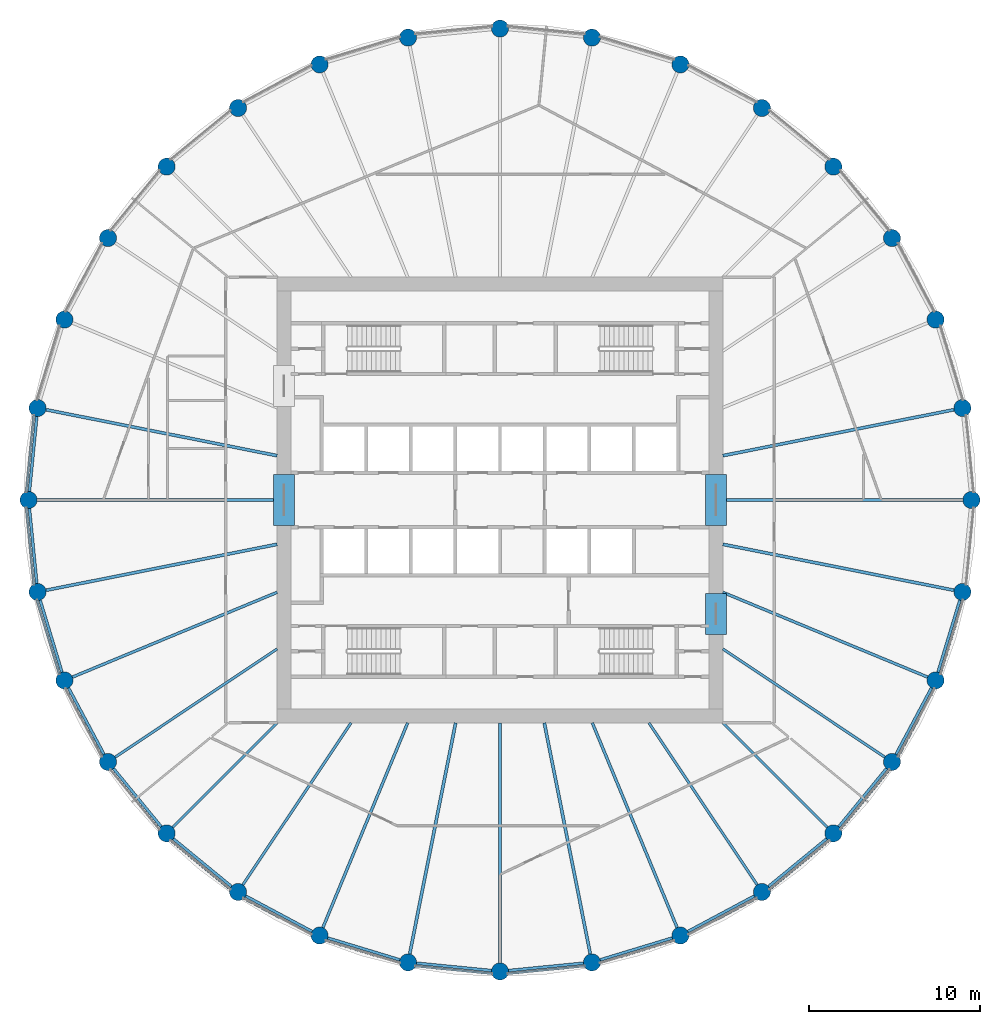
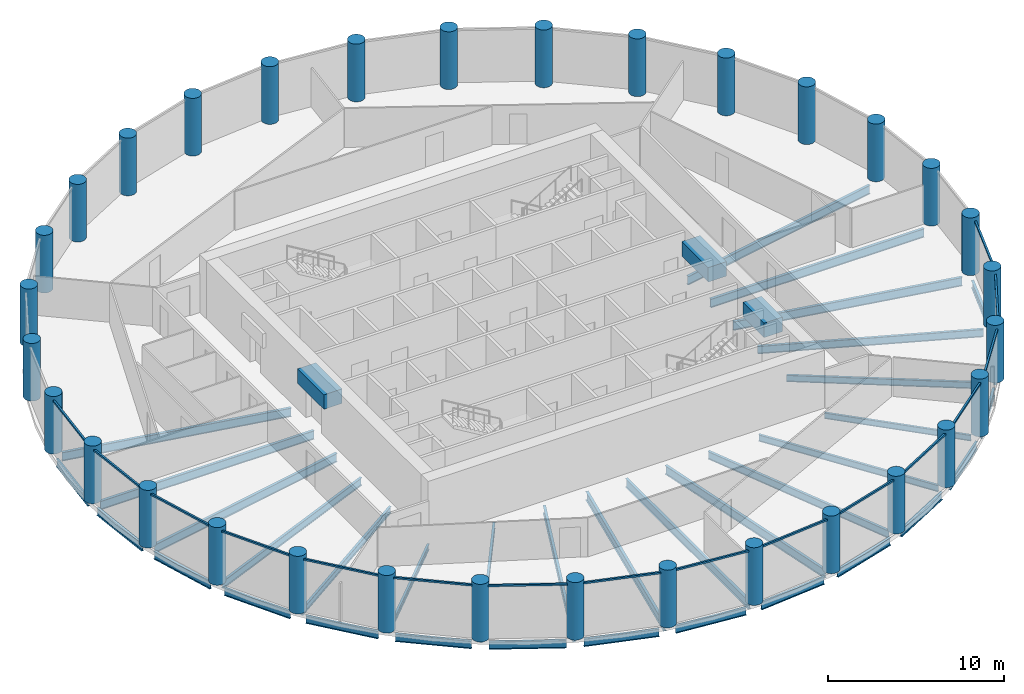
# One storey, part 1 of 8: 38 beams, 32 columns, 16 members, 16 elements without a shape of their own.
"""IFC4 building model written with IfcOpenShell, lengths in metres."""

from ifc_helpers import new_model, si_unit, direction, frame, origin, origin_2d, place, context, subcontext, project, spatial, rectangle, circle, i_section, extrude, material, material_profile, profile_set, type_object, element, aggregate, save


model = new_model("IFC4")

# Units and contexts
model_context = context("Model", 3, precision=1e-05, world=origin(), true_north=direction((0.0, 1.0)))
body_context = subcontext(model_context, "Body", "Model", "MODEL_VIEW")
ifc_project = project(units=[si_unit("LENGTHUNIT", "METRE"), si_unit("AREAUNIT", "SQUARE_METRE"), si_unit("VOLUMEUNIT", "CUBIC_METRE"), si_unit("PLANEANGLEUNIT", "RADIAN"), si_unit("MASSUNIT", "GRAM", prefix="KILO")], contexts=[model_context])

# Site, building, storey
site_placement = place(None, origin())
site = spatial("IfcSite", under=ifc_project, at=site_placement, CompositionType="ELEMENT")
building_placement = place(site_placement, origin())
building = spatial("IfcBuilding", under=site, at=building_placement, Name="Corvane Civic Tower", CompositionType="ELEMENT")
storey_placement = place(building_placement, frame((0.0, 0.0, 237.5)))
storey = spatial("IfcBuildingStorey", under=building, at=storey_placement, Name="L56", CompositionType="ELEMENT", Elevation=237.5)

# Columns
ifc_material_1 = material(Name="Concrete C60/75", Category="concrete")
ifc_material_profile_1 = material_profile(ifc_material_1, circle(Radius=0.5, at=origin_2d()), Name="COLUMN 1000")
ifc_profile_set_1 = profile_set([ifc_material_profile_1], Name="Concrete C60/75")
column_type = type_object("IfcColumnType", Name="RC COLUMN COLUMN 1000", PredefinedType="COLUMN", material=ifc_profile_set_1)
for number, where, z_axis, x_axis, name in (
    (1, (0.0, 27.5, 0.0), (0.0, 0.0, 1.0), (1.0, 0.0, 0.0), "COL-L56-D01"),
    (2, (5.364990234375, 26.9716796875, 0.0), (0.0, 0.0, 1.0), (1.0, 0.0, 0.0), "COL-L56-D02"),
    (3, (10.523681640625, 25.40673828125, 0.0), (0.0, 0.0, 1.0), (1.0, 0.0, 0.0), "COL-L56-D03"),
    (4, (15.278076171875, 22.865478515625, 0.0), (0.0, 0.0, 1.0), (1.0, 0.0, 0.0), "COL-L56-D04"),
    (5, (19.445556640625, 19.445556640625, 0.0), (0.0, 0.0, 1.0), (1.0, 0.0, 0.0), "COL-L56-D05"),
    (6, (22.865478515625, 15.278076171875, 0.0), (0.0, 0.0, 1.0), (1.0, 0.0, 0.0), "COL-L56-D06"),
    (7, (25.40673828125, 10.523681640625, 0.0), (0.0, 0.0, 1.0), (1.0, 0.0, 0.0), "COL-L56-D07"),
    (8, (26.9716796875, 5.364990234375, 0.0), (0.0, 0.0, 1.0), (1.0, 0.0, 0.0), "COL-L56-D08"),
    (9, (27.5, 0.0, 0.0), (0.0, 0.0, 1.0), (1.0, 0.0, 0.0), "COL-L56-D09"),
    (10, (26.9716796875, -5.364990234375, 0.0), (0.0, 0.0, 1.0), (1.0, 0.0, 0.0), "COL-L56-D10"),
    (11, (25.40673828125, -10.523681640625, 0.0), (0.0, 0.0, 1.0), (1.0, 0.0, 0.0), "COL-L56-D11"),
    (12, (22.865478515625, -15.278076171875, 0.0), (0.0, 0.0, 1.0), (1.0, 0.0, 0.0), "COL-L56-D12"),
    (13, (19.445556640625, -19.445556640625, 0.0), (0.0, 0.0, 1.0), (1.0, 0.0, 0.0), "COL-L56-D13"),
    (14, (15.278076171875, -22.865478515625, 0.0), (0.0, 0.0, 1.0), (1.0, 0.0, 0.0), "COL-L56-D14"),
    (15, (10.523681640625, -25.40673828125, 0.0), (0.0, 0.0, 1.0), (1.0, 0.0, 0.0), "COL-L56-D15"),
    (16, (5.364990234375, -26.9716796875, 0.0), (0.0, 0.0, 1.0), (1.0, 0.0, 0.0), "COL-L56-D16"),
    (17, (0.0, -27.5, 0.0), (0.0, 0.0, 1.0), (1.0, 0.0, 0.0), "COL-L56-D17"),
    (18, (-5.364990234375, -26.9716796875, 0.0), (0.0, 0.0, 1.0), (1.0, 0.0, 0.0), "COL-L56-D18"),
    (19, (-10.523681640625, -25.40673828125, 0.0), (0.0, 0.0, 1.0), (1.0, 0.0, 0.0), "COL-L56-D19"),
    (20, (-15.278076171875, -22.865478515625, 0.0), (0.0, 0.0, 1.0), (1.0, 0.0, 0.0), "COL-L56-D20"),
    (21, (-19.445556640625, -19.445556640625, 0.0), (0.0, 0.0, 1.0), (1.0, 0.0, 0.0), "COL-L56-D21"),
    (22, (-22.865478515625, -15.278076171875, 0.0), (0.0, 0.0, 1.0), (1.0, 0.0, 0.0), "COL-L56-D22"),
    (23, (-25.40673828125, -10.523681640625, 0.0), (0.0, 0.0, 1.0), (1.0, 0.0, 0.0), "COL-L56-D23"),
    (24, (-26.9716796875, -5.364990234375, 0.0), (0.0, 0.0, 1.0), (1.0, 0.0, 0.0), "COL-L56-D24"),
    (25, (-27.5, 0.0, 0.0), (0.0, 0.0, 1.0), (1.0, 0.0, 0.0), "COL-L56-D25"),
    (26, (-26.9716796875, 5.364990234375, 0.0), (0.0, 0.0, 1.0), (1.0, 0.0, 0.0), "COL-L56-D26"),
    (27, (-25.40673828125, 10.523681640625, 0.0), (0.0, 0.0, 1.0), (1.0, 0.0, 0.0), "COL-L56-D27"),
    (28, (-22.865478515625, 15.278076171875, 0.0), (0.0, 0.0, 1.0), (1.0, 0.0, 0.0), "COL-L56-D28"),
    (29, (-19.445556640625, 19.445556640625, 0.0), (0.0, 0.0, 1.0), (1.0, 0.0, 0.0), "COL-L56-D29"),
    (30, (-15.278076171875, 22.865478515625, 0.0), (0.0, 0.0, 1.0), (1.0, 0.0, 0.0), "COL-L56-D30"),
    (31, (-10.523681640625, 25.40673828125, 0.0), (0.0, 0.0, 1.0), (1.0, 0.0, 0.0), "COL-L56-D31"),
    (32, (-5.364990234375, 26.9716796875, 0.0), (0.0, 0.0, 1.0), (1.0, 0.0, 0.0), "COL-L56-D32"),
):
    element("IfcColumn", number, at=place(storey_placement, frame(where, z_axis=z_axis, x_axis=x_axis)), inside=storey, type_object=column_type, Name=name, PredefinedType="COLUMN", context=body_context, shape_type="SweptSolid", body=[
        extrude(circle(Radius=0.5, at=origin_2d()), origin(), (0.0, 0.0, 1.0), 4.0),
    ])

# Beams
ifc_material_2 = material(Name="Concrete C50/60", Category="concrete")
ifc_material_profile_2 = material_profile(ifc_material_2, rectangle(XDim=1.199951171875, YDim=1.0, at=origin_2d()), Name="COUPLING BEAM 1200X1000")
ifc_profile_set_2 = profile_set([ifc_material_profile_2], Name="Concrete C50/60")
beam_type_1 = type_object("IfcBeamType", Name="COUPLING BEAM COUPLING BEAM 1200X1000", PredefinedType="BEAM", material=ifc_profile_set_2)
for number, where, z_axis, x_axis, name in (
    (33, (-12.60009765625, -1.5, 2.60009765625), (0.0, 1.0, 0.0), (-1.0, 0.0, 0.0), "BM-L56-cpl-CW-LW"),
    (34, (12.60009765625, -1.5, 2.60009765625), (0.0, 1.0, 0.0), (-1.0, 0.0, 0.0), "BM-L56-cpl-CW-LE"),
):
    element("IfcBeam", number, at=place(storey_placement, frame(where, z_axis=z_axis, x_axis=x_axis)), inside=storey, type_object=beam_type_1, Name=name, PredefinedType="BEAM", context=body_context, shape_type="SweptSolid", body=[
        extrude(rectangle(XDim=1.199951171875, YDim=1.0, at=origin_2d()), origin(), (0.0, 0.0, 1.0), 3.0),
    ])
beam_1_placement = place(storey_placement, frame((12.60009765625, -7.85009765625, 2.60009765625), z_axis=(0.0, 1.0, 0.0), x_axis=(-1.0, 0.0, 0.0)))
element("IfcBeam", 35, at=beam_1_placement, inside=storey, type_object=beam_type_1, Name="BM-L56-cpl-CW-ES", PredefinedType="BEAM", context=body_context, shape_type="SweptSolid", body=[
    extrude(rectangle(XDim=1.199951171875, YDim=1.0, at=origin_2d()), origin(), (0.0, 0.0, 1.0), 2.400146484375),
])
ifc_material_3 = material(Name="Steel ASTM A992 Gr 50", Category="steel")
ifc_material_profile_3 = material_profile(ifc_material_3, i_section(OverallWidth=0.165771484375, OverallDepth=0.5283203125, WebThickness=0.009765625, FlangeThickness=0.013671875, at=origin_2d()), Name="W21X50")
ifc_profile_set_3 = profile_set([ifc_material_profile_3], Name="Steel ASTM A992 Gr 50")
beam_type_2 = type_object("IfcBeamType", Name="EDGE BEAM W21X50", PredefinedType="BEAM", material=ifc_profile_set_3)
beam_2_placement = place(storey_placement, frame((26.826416015625, -5.843505859375, -0.564208984375), z_axis=(-0.290254307888, -0.956949547653, 0.0), x_axis=(0.956949547653, -0.290254307888, 0.0)))
element("IfcBeam", 36, at=beam_2_placement, inside=storey, type_object=beam_type_2, Name="BM-L56-E10", PredefinedType="BEAM", context=body_context, shape_type="SweptSolid", body=[
    extrude(i_section(OverallWidth=0.165771484375, OverallDepth=0.5283203125, WebThickness=0.009765625, FlangeThickness=0.013671875, at=origin_2d()), origin(), (0.0, 0.0, 1.0), 4.390625),
])
for number, where, z_axis, x_axis, name in (
    (37, (25.171142578125, -10.964599609375, -0.564208984375), (-0.471422006704, -0.881907756852, 0.0), (0.881907756852, -0.471422006704, 0.0), "BM-L56-E11"),
    (38, (22.54833984375, -15.66455078125, -0.564208984375), (-0.634369433447, -0.773030026524, 0.0), (0.773030026524, -0.634369433447, 0.0), "BM-L56-E12"),
    (39, (19.05908203125, -19.7626953125, -0.564208984375), (-0.773030026524, -0.634369433447, 0.0), (0.634369433447, -0.773030026524, 0.0), "BM-L56-E13"),
    (40, (14.837158203125, -23.10107421875, -0.564208984375), (-0.881907756852, -0.471422006704, 0.0), (0.471422006704, -0.881907756852, 0.0), "BM-L56-E14"),
):
    element("IfcBeam", number, at=place(storey_placement, frame(where, z_axis=z_axis, x_axis=x_axis)), inside=storey, type_object=beam_type_2, Name=name, PredefinedType="BEAM", context=body_context, shape_type="SweptSolid", body=[
        extrude(i_section(OverallWidth=0.165771484375, OverallDepth=0.5283203125, WebThickness=0.009765625, FlangeThickness=0.013671875, at=origin_2d()), origin(), (0.0, 0.0, 1.0), 4.39111328125),
    ])
beam_3_placement = place(storey_placement, frame((10.045166015625, -25.552001953125, -0.564208984375), z_axis=(-0.956949547653, -0.290254307888, 0.0), x_axis=(0.290254307888, -0.956949547653, 0.0)))
element("IfcBeam", 41, at=beam_3_placement, inside=storey, type_object=beam_type_2, Name="BM-L56-E15", PredefinedType="BEAM", context=body_context, shape_type="SweptSolid", body=[
    extrude(i_section(OverallWidth=0.165771484375, OverallDepth=0.5283203125, WebThickness=0.009765625, FlangeThickness=0.013671875, at=origin_2d()), origin(), (0.0, 0.0, 1.0), 4.390625),
])
for number, where, z_axis, x_axis, name in (
    (42, (4.867431640625, -27.020751953125, -0.564208984375), (-0.995189593769, -0.097967711281, 0.0), (0.097967711281, -0.995189593769, 0.0), "BM-L56-E16"),
    (43, (-0.49755859375, -27.450927734375, -0.564208984375), (-0.995189593769, 0.097967711281, 0.0), (-0.097967711281, -0.995189593769, 0.0), "BM-L56-E17"),
):
    element("IfcBeam", number, at=place(storey_placement, frame(where, z_axis=z_axis, x_axis=x_axis)), inside=storey, type_object=beam_type_2, Name=name, PredefinedType="BEAM", context=body_context, shape_type="SweptSolid", body=[
        extrude(i_section(OverallWidth=0.165771484375, OverallDepth=0.5283203125, WebThickness=0.009765625, FlangeThickness=0.013671875, at=origin_2d()), origin(), (0.0, 0.0, 1.0), 4.39111328125),
    ])
beam_4_placement = place(storey_placement, frame((-5.843505859375, -26.826416015625, -0.564208984375), z_axis=(-0.956949547653, 0.290254307888, 0.0), x_axis=(-0.290254307888, -0.956949547653, 0.0)))
element("IfcBeam", 44, at=beam_4_placement, inside=storey, type_object=beam_type_2, Name="BM-L56-E18", PredefinedType="BEAM", context=body_context, shape_type="SweptSolid", body=[
    extrude(i_section(OverallWidth=0.165771484375, OverallDepth=0.5283203125, WebThickness=0.009765625, FlangeThickness=0.013671875, at=origin_2d()), origin(), (0.0, 0.0, 1.0), 4.390625),
])
for number, where, z_axis, x_axis, name in (
    (45, (-10.964599609375, -25.171142578125, -0.564208984375), (-0.881907756852, 0.471422006704, 0.0), (-0.471422006704, -0.881907756852, 0.0), "BM-L56-E19"),
    (46, (-15.66455078125, -22.54833984375, -0.564208984375), (-0.773030026524, 0.634369433447, 0.0), (-0.634369433447, -0.773030026524, 0.0), "BM-L56-E20"),
    (47, (-19.7626953125, -19.05908203125, -0.564208984375), (-0.634369433447, 0.773030026524, 0.0), (-0.773030026524, -0.634369433447, 0.0), "BM-L56-E21"),
    (48, (-23.10107421875, -14.837158203125, -0.564208984375), (-0.471422006704, 0.881907756852, 0.0), (-0.881907756852, -0.471422006704, 0.0), "BM-L56-E22"),
):
    element("IfcBeam", number, at=place(storey_placement, frame(where, z_axis=z_axis, x_axis=x_axis)), inside=storey, type_object=beam_type_2, Name=name, PredefinedType="BEAM", context=body_context, shape_type="SweptSolid", body=[
        extrude(i_section(OverallWidth=0.165771484375, OverallDepth=0.5283203125, WebThickness=0.009765625, FlangeThickness=0.013671875, at=origin_2d()), origin(), (0.0, 0.0, 1.0), 4.39111328125),
    ])
beam_5_placement = place(storey_placement, frame((-25.552001953125, -10.045166015625, -0.564208984375), z_axis=(-0.290254307888, 0.956949547653, 0.0), x_axis=(-0.956949547653, -0.290254307888, 0.0)))
element("IfcBeam", 49, at=beam_5_placement, inside=storey, type_object=beam_type_2, Name="BM-L56-E23", PredefinedType="BEAM", context=body_context, shape_type="SweptSolid", body=[
    extrude(i_section(OverallWidth=0.165771484375, OverallDepth=0.5283203125, WebThickness=0.009765625, FlangeThickness=0.013671875, at=origin_2d()), origin(), (0.0, 0.0, 1.0), 4.390625),
])
for number, where, z_axis, x_axis, name in (
    (50, (-27.020751953125, -4.867431640625, -0.564208984375), (-0.097967711281, 0.995189593769, 0.0), (-0.995189593769, -0.097967711281, 0.0), "BM-L56-E24"),
    (51, (-27.450927734375, 0.49755859375, -0.564208984375), (0.097967711281, 0.995189593769, 0.0), (-0.995189593769, 0.097967711281, 0.0), "BM-L56-E25"),
):
    element("IfcBeam", number, at=place(storey_placement, frame(where, z_axis=z_axis, x_axis=x_axis)), inside=storey, type_object=beam_type_2, Name=name, PredefinedType="BEAM", context=body_context, shape_type="SweptSolid", body=[
        extrude(i_section(OverallWidth=0.165771484375, OverallDepth=0.5283203125, WebThickness=0.009765625, FlangeThickness=0.013671875, at=origin_2d()), origin(), (0.0, 0.0, 1.0), 4.39111328125),
    ])
ifc_material_4 = material(Name="Steel ASTM A992 Gr 50", Category="steel")
ifc_material_profile_4 = material_profile(ifc_material_4, i_section(OverallWidth=0.140380859375, OverallDepth=0.40380859375, WebThickness=0.007080078125, FlangeThickness=0.01123046875, at=origin_2d()), Name="W16X31")
ifc_profile_set_4 = profile_set([ifc_material_profile_4], Name="Steel ASTM A992 Gr 50")
beam_type_3 = type_object("IfcBeamType", Name="FLOOR GIRDER W16X31", PredefinedType="BEAM", material=ifc_profile_set_4)
for number, where, z_axis, x_axis, name in (
    (52, (13.0, -13.0, -0.501953125), (0.707106781187, -0.707106781187, 0.0), (0.707106781187, 0.707106781187, 0.0), "BM-L56-G13"),
    (53, (-13.0, -13.0, -0.501953125), (-0.707106781187, -0.707106781187, 0.0), (0.707106781187, -0.707106781187, 0.0), "BM-L56-G21"),
):
    element("IfcBeam", number, at=place(storey_placement, frame(where, z_axis=z_axis, x_axis=x_axis)), inside=storey, type_object=beam_type_3, Name=name, PredefinedType="BEAM", context=body_context, shape_type="SweptSolid", body=[
        extrude(i_section(OverallWidth=0.140380859375, OverallDepth=0.40380859375, WebThickness=0.007080078125, FlangeThickness=0.01123046875, at=origin_2d()), origin(), (0.0, 0.0, 1.0), 8.614990234375),
    ])
ifc_material_5 = material(Name="Steel ASTM A992 Gr 50", Category="steel")
ifc_material_profile_5 = material_profile(ifc_material_5, i_section(OverallWidth=0.15283203125, OverallDepth=0.45458984375, WebThickness=0.008056640625, FlangeThickness=0.013427734375, at=origin_2d()), Name="W18X40")
ifc_profile_set_5 = profile_set([ifc_material_profile_5], Name="Steel ASTM A992 Gr 50")
beam_type_4 = type_object("IfcBeamType", Name="FLOOR GIRDER W18X40", PredefinedType="BEAM", material=ifc_profile_set_5)
for number, where, z_axis, x_axis, name in (
    (54, (13.0, -8.686279296875, -0.52734375), (0.831464872557, -0.555577326485, 0.0), (0.555577326485, 0.831464872557, 0.0), "BM-L56-G12"),
    (55, (8.686279296875, -13.0, -0.52734375), (0.555577326485, -0.831464872557, 0.0), (0.831464872557, 0.555577326485, 0.0), "BM-L56-G14"),
    (56, (-8.686279296875, -13.0, -0.52734375), (-0.555577326485, -0.831464872557, 0.0), (0.831464872557, -0.555577326485, 0.0), "BM-L56-G20"),
    (57, (-13.0, -8.686279296875, -0.52734375), (-0.831464872557, -0.555577326485, 0.0), (0.555577326485, -0.831464872557, 0.0), "BM-L56-G22"),
):
    element("IfcBeam", number, at=place(storey_placement, frame(where, z_axis=z_axis, x_axis=x_axis)), inside=storey, type_object=beam_type_4, Name=name, PredefinedType="BEAM", context=body_context, shape_type="SweptSolid", body=[
        extrude(i_section(OverallWidth=0.15283203125, OverallDepth=0.45458984375, WebThickness=0.008056640625, FlangeThickness=0.013427734375, at=origin_2d()), origin(), (0.0, 0.0, 1.0), 11.365234375),
    ])
ifc_material_6 = material(Name="Steel ASTM A992 Gr 50", Category="steel")
ifc_material_profile_6 = material_profile(ifc_material_6, i_section(OverallWidth=0.165771484375, OverallDepth=0.5283203125, WebThickness=0.009765625, FlangeThickness=0.013671875, at=origin_2d()), Name="W21X50")
ifc_profile_set_6 = profile_set([ifc_material_profile_6], Name="Steel ASTM A992 Gr 50")
beam_type_5 = type_object("IfcBeamType", Name="FLOOR GIRDER W21X50", PredefinedType="BEAM", material=ifc_profile_set_6)
for number, where, z_axis, x_axis, name in (
    (58, (13.0, -5.384765625, -0.564208984375), (0.923878282404, -0.382686450378, 0.0), (0.382686450378, 0.923878282404, 0.0), "BM-L56-G11"),
    (59, (5.384765625, -13.0, -0.564208984375), (0.382686450378, -0.923878282404, 0.0), (0.923878282404, 0.382686450378, 0.0), "BM-L56-G15"),
    (60, (-5.384765625, -13.0, -0.564208984375), (-0.382686450378, -0.923878282404, 0.0), (0.923878282404, -0.382686450378, 0.0), "BM-L56-G19"),
    (61, (-13.0, -5.384765625, -0.564208984375), (-0.923878282404, -0.382686450378, 0.0), (0.382686450378, -0.923878282404, 0.0), "BM-L56-G23"),
):
    element("IfcBeam", number, at=place(storey_placement, frame(where, z_axis=z_axis, x_axis=x_axis)), inside=storey, type_object=beam_type_5, Name=name, PredefinedType="BEAM", context=body_context, shape_type="SweptSolid", body=[
        extrude(i_section(OverallWidth=0.165771484375, OverallDepth=0.5283203125, WebThickness=0.009765625, FlangeThickness=0.013671875, at=origin_2d()), origin(), (0.0, 0.0, 1.0), 12.928955078125),
    ])
ifc_material_7 = material(Name="Steel ASTM A992 Gr 50", Category="steel")
ifc_material_profile_7 = material_profile(ifc_material_7, i_section(OverallWidth=0.177978515625, OverallDepth=0.599365234375, WebThickness=0.010009765625, FlangeThickness=0.012939453125, at=origin_2d()), Name="W24X55")
ifc_profile_set_7 = profile_set([ifc_material_profile_7], Name="Steel ASTM A992 Gr 50")
beam_type_6 = type_object("IfcBeamType", Name="FLOOR GIRDER W24X55", PredefinedType="BEAM", material=ifc_profile_set_7)
beam_6_placement = place(storey_placement, frame((13.0, 2.5859375, -0.599609375), z_axis=(0.980787802109, 0.195077644118, 0.0), x_axis=(-0.195077644118, 0.980787802109, 0.0)))
element("IfcBeam", 62, at=beam_6_placement, inside=storey, type_object=beam_type_6, Name="BM-L56-G08", PredefinedType="BEAM", context=body_context, shape_type="SweptSolid", body=[
    extrude(i_section(OverallWidth=0.177978515625, OverallDepth=0.599365234375, WebThickness=0.010009765625, FlangeThickness=0.012939453125, at=origin_2d()), origin(), (0.0, 0.0, 1.0), 13.745361328125),
])
beam_7_placement = place(storey_placement, frame((13.0, 0.0, -0.599609375), z_axis=(1.0, 0.0, 0.0), x_axis=(0.0, 1.0, 0.0)))
element("IfcBeam", 63, at=beam_7_placement, inside=storey, type_object=beam_type_6, Name="BM-L56-G09", PredefinedType="BEAM", context=body_context, shape_type="SweptSolid", body=[
    extrude(i_section(OverallWidth=0.177978515625, OverallDepth=0.599365234375, WebThickness=0.010009765625, FlangeThickness=0.012939453125, at=origin_2d()), origin(), (0.0, 0.0, 1.0), 14.0),
])
for number, where, z_axis, x_axis, name in (
    (64, (13.0, -2.5859375, -0.599609375), (0.980787802109, -0.195077644118, 0.0), (0.195077644118, 0.980787802109, 0.0), "BM-L56-G10"),
    (65, (2.5859375, -13.0, -0.599609375), (0.195077644118, -0.980787802109, 0.0), (0.980787802109, 0.195077644118, 0.0), "BM-L56-G16"),
):
    element("IfcBeam", number, at=place(storey_placement, frame(where, z_axis=z_axis, x_axis=x_axis)), inside=storey, type_object=beam_type_6, Name=name, PredefinedType="BEAM", context=body_context, shape_type="SweptSolid", body=[
        extrude(i_section(OverallWidth=0.177978515625, OverallDepth=0.599365234375, WebThickness=0.010009765625, FlangeThickness=0.012939453125, at=origin_2d()), origin(), (0.0, 0.0, 1.0), 13.745361328125),
    ])
beam_8_placement = place(storey_placement, frame((0.0, -13.0, -0.599609375), z_axis=(0.0, -1.0, 0.0), x_axis=(1.0, 0.0, 0.0)))
element("IfcBeam", 66, at=beam_8_placement, inside=storey, type_object=beam_type_6, Name="BM-L56-G17", PredefinedType="BEAM", context=body_context, shape_type="SweptSolid", body=[
    extrude(i_section(OverallWidth=0.177978515625, OverallDepth=0.599365234375, WebThickness=0.010009765625, FlangeThickness=0.012939453125, at=origin_2d()), origin(), (0.0, 0.0, 1.0), 14.0),
])
for number, where, z_axis, x_axis, name in (
    (67, (-2.5859375, -13.0, -0.599609375), (-0.195077644118, -0.980787802109, 0.0), (0.980787802109, -0.195077644118, 0.0), "BM-L56-G18"),
    (68, (-13.0, -2.5859375, -0.599609375), (-0.980787802109, -0.195077644118, 0.0), (0.195077644118, -0.980787802109, 0.0), "BM-L56-G24"),
):
    element("IfcBeam", number, at=place(storey_placement, frame(where, z_axis=z_axis, x_axis=x_axis)), inside=storey, type_object=beam_type_6, Name=name, PredefinedType="BEAM", context=body_context, shape_type="SweptSolid", body=[
        extrude(i_section(OverallWidth=0.177978515625, OverallDepth=0.599365234375, WebThickness=0.010009765625, FlangeThickness=0.012939453125, at=origin_2d()), origin(), (0.0, 0.0, 1.0), 13.745361328125),
    ])
beam_9_placement = place(storey_placement, frame((-13.0, 0.0, -0.599609375), z_axis=(-1.0, 0.0, 0.0), x_axis=(0.0, -1.0, 0.0)))
element("IfcBeam", 69, at=beam_9_placement, inside=storey, type_object=beam_type_6, Name="BM-L56-G25", PredefinedType="BEAM", context=body_context, shape_type="SweptSolid", body=[
    extrude(i_section(OverallWidth=0.177978515625, OverallDepth=0.599365234375, WebThickness=0.010009765625, FlangeThickness=0.012939453125, at=origin_2d()), origin(), (0.0, 0.0, 1.0), 14.0),
])
beam_10_placement = place(storey_placement, frame((-13.0, 2.5859375, -0.599609375), z_axis=(-0.980787802109, 0.195077644118, 0.0), x_axis=(-0.195077644118, -0.980787802109, 0.0)))
element("IfcBeam", 70, at=beam_10_placement, inside=storey, type_object=beam_type_6, Name="BM-L56-G26", PredefinedType="BEAM", context=body_context, shape_type="SweptSolid", body=[
    extrude(i_section(OverallWidth=0.177978515625, OverallDepth=0.599365234375, WebThickness=0.010009765625, FlangeThickness=0.012939453125, at=origin_2d()), origin(), (0.0, 0.0, 1.0), 13.745361328125),
])

# Curtain wall, member
ifc_material_8 = material(Name="Anodised aluminium bronze", Category="aluminium")
curtain_wall_type = type_object("IfcCurtainWallType", Name="TOWER CW-T2 STICK CURTAIN WALL", PredefinedType="NOTDEFINED", material=ifc_material_8)
curtain_wall_1_placement = place(storey_placement, origin())
curtain_wall_1 = element("IfcCurtainWall", 71, at=curtain_wall_1_placement, inside=storey, type_object=curtain_wall_type, Name="Curtain wall CW-T2 L56 bay 10", PredefinedType="NOTDEFINED")
ifc_material_9 = material(Name="Anodised aluminium bronze", Category="aluminium")
ifc_material_profile_8 = material_profile(ifc_material_9, rectangle(XDim=0.1201171875, YDim=0.1201171875, at=origin_2d()), Name="TOWER CW-T2 TRANSOM 120x120")
ifc_profile_set_8 = profile_set([ifc_material_profile_8], Name="Anodised aluminium bronze")
member_type = type_object("IfcMemberType", Name="TOWER CW-T2 TRANSOM 120x120", PredefinedType="USERDEFINED", material=ifc_profile_set_8)
member_1_placement = place(storey_placement, frame((27.016357421875, -5.8349609375, 3.68994140625), z_axis=(-0.2902818869, -0.956941182173, 0.0), x_axis=(0.956941182173, -0.2902818869, 0.0)))
member_1 = element("IfcMember", 72, at=member_1_placement, type_object=member_type, Name="Transom CW-T2 L56 10.1", ObjectType="TRANSOM", PredefinedType="USERDEFINED", context=body_context, shape_type="SweptSolid", body=[
    extrude(rectangle(XDim=0.1201171875, YDim=0.1201171875, at=origin_2d()), origin(), (0.0, 0.0, 1.0), 4.517333984375),
])
aggregate(curtain_wall_1, [member_1])

curtain_wall_2_placement = place(storey_placement, origin())
curtain_wall_2 = element("IfcCurtainWall", 73, at=curtain_wall_2_placement, inside=storey, type_object=curtain_wall_type, Name="Curtain wall CW-T2 L56 bay 11", PredefinedType="NOTDEFINED")
member_2_placement = place(storey_placement, frame((25.35888671875, -10.993408203125, 3.68994140625), z_axis=(-0.471390317183, -0.881924695689, 0.0), x_axis=(0.881924695689, -0.471390317183, 0.0)))
member_2 = element("IfcMember", 74, at=member_2_placement, type_object=member_type, Name="Transom CW-T2 L56 11.1", ObjectType="TRANSOM", PredefinedType="USERDEFINED", context=body_context, shape_type="SweptSolid", body=[
    extrude(rectangle(XDim=0.1201171875, YDim=0.1201171875, at=origin_2d()), origin(), (0.0, 0.0, 1.0), 4.517333984375),
])
aggregate(curtain_wall_2, [member_2])

curtain_wall_3_placement = place(storey_placement, origin())
curtain_wall_3 = element("IfcCurtainWall", 75, at=curtain_wall_3_placement, inside=storey, type_object=curtain_wall_type, Name="Curtain wall CW-T2 L56 bay 12", PredefinedType="NOTDEFINED")
member_3_placement = place(storey_placement, frame((22.726806640625, -15.7294921875, 3.68994140625), z_axis=(-0.634387834569, -0.773014925698, 0.0), x_axis=(0.773014925698, -0.634387834569, 0.0)))
member_3 = element("IfcMember", 76, at=member_3_placement, type_object=member_type, Name="Transom CW-T2 L56 12.1", ObjectType="TRANSOM", PredefinedType="USERDEFINED", context=body_context, shape_type="SweptSolid", body=[
    extrude(rectangle(XDim=0.1201171875, YDim=0.1201171875, at=origin_2d()), origin(), (0.0, 0.0, 1.0), 4.517333984375),
])
aggregate(curtain_wall_3, [member_3])

curtain_wall_4_placement = place(storey_placement, origin())
curtain_wall_4 = element("IfcCurtainWall", 77, at=curtain_wall_4_placement, inside=storey, type_object=curtain_wall_type, Name="Curtain wall CW-T2 L56 bay 13", PredefinedType="NOTDEFINED")
member_4_placement = place(storey_placement, frame((19.221435546875, -19.861083984375, 3.68994140625), z_axis=(-0.773014925698, -0.634387834569, 0.0), x_axis=(0.634387834569, -0.773014925698, 0.0)))
member_4 = element("IfcMember", 78, at=member_4_placement, type_object=member_type, Name="Transom CW-T2 L56 13.1", ObjectType="TRANSOM", PredefinedType="USERDEFINED", context=body_context, shape_type="SweptSolid", body=[
    extrude(rectangle(XDim=0.1201171875, YDim=0.1201171875, at=origin_2d()), origin(), (0.0, 0.0, 1.0), 4.517333984375),
])
aggregate(curtain_wall_4, [member_4])

curtain_wall_5_placement = place(storey_placement, origin())
curtain_wall_5 = element("IfcCurtainWall", 79, at=curtain_wall_5_placement, inside=storey, type_object=curtain_wall_type, Name="Curtain wall CW-T2 L56 bay 14", PredefinedType="NOTDEFINED")
member_5_placement = place(storey_placement, frame((14.977294921875, -23.2294921875, 3.68994140625), z_axis=(-0.881924695689, -0.471390317183, 0.0), x_axis=(0.471390317183, -0.881924695689, 0.0)))
member_5 = element("IfcMember", 80, at=member_5_placement, type_object=member_type, Name="Transom CW-T2 L56 14.1", ObjectType="TRANSOM", PredefinedType="USERDEFINED", context=body_context, shape_type="SweptSolid", body=[
    extrude(rectangle(XDim=0.1201171875, YDim=0.1201171875, at=origin_2d()), origin(), (0.0, 0.0, 1.0), 4.517333984375),
])
aggregate(curtain_wall_5, [member_5])

curtain_wall_6_placement = place(storey_placement, origin())
curtain_wall_6 = element("IfcCurtainWall", 81, at=curtain_wall_6_placement, inside=storey, type_object=curtain_wall_type, Name="Curtain wall CW-T2 L56 bay 15", PredefinedType="NOTDEFINED")
member_6_placement = place(storey_placement, frame((10.15771484375, -25.705078125, 3.68994140625), z_axis=(-0.956941182173, -0.2902818869, 0.0), x_axis=(0.2902818869, -0.956941182173, 0.0)))
member_6 = element("IfcMember", 82, at=member_6_placement, type_object=member_type, Name="Transom CW-T2 L56 15.1", ObjectType="TRANSOM", PredefinedType="USERDEFINED", context=body_context, shape_type="SweptSolid", body=[
    extrude(rectangle(XDim=0.1201171875, YDim=0.1201171875, at=origin_2d()), origin(), (0.0, 0.0, 1.0), 4.517333984375),
])
aggregate(curtain_wall_6, [member_6])

curtain_wall_7_placement = place(storey_placement, origin())
curtain_wall_7 = element("IfcCurtainWall", 83, at=curtain_wall_7_placement, inside=storey, type_object=curtain_wall_type, Name="Curtain wall CW-T2 L56 bay 16", PredefinedType="NOTDEFINED")
member_7_placement = place(storey_placement, frame((4.94775390625, -27.192626953125, 3.68994140625), z_axis=(-0.995182207386, -0.098042715701, 0.0), x_axis=(0.098042715701, -0.995182207386, 0.0)))
member_7 = element("IfcMember", 84, at=member_7_placement, type_object=member_type, Name="Transom CW-T2 L56 16.1", ObjectType="TRANSOM", PredefinedType="USERDEFINED", context=body_context, shape_type="SweptSolid", body=[
    extrude(rectangle(XDim=0.1201171875, YDim=0.1201171875, at=origin_2d()), origin(), (0.0, 0.0, 1.0), 4.51708984375),
])
aggregate(curtain_wall_7, [member_7])

curtain_wall_8_placement = place(storey_placement, origin())
curtain_wall_8 = element("IfcCurtainWall", 85, at=curtain_wall_8_placement, inside=storey, type_object=curtain_wall_type, Name="Curtain wall CW-T2 L56 bay 17", PredefinedType="NOTDEFINED")
member_8_placement = place(storey_placement, frame((-0.452392578125, -27.635498046875, 3.68994140625), z_axis=(-0.995182207386, 0.098042715701, 0.0), x_axis=(-0.098042715701, -0.995182207386, 0.0)))
member_8 = element("IfcMember", 86, at=member_8_placement, type_object=member_type, Name="Transom CW-T2 L56 17.1", ObjectType="TRANSOM", PredefinedType="USERDEFINED", context=body_context, shape_type="SweptSolid", body=[
    extrude(rectangle(XDim=0.1201171875, YDim=0.1201171875, at=origin_2d()), origin(), (0.0, 0.0, 1.0), 4.51708984375),
])
aggregate(curtain_wall_8, [member_8])

curtain_wall_9_placement = place(storey_placement, origin())
curtain_wall_9 = element("IfcCurtainWall", 87, at=curtain_wall_9_placement, inside=storey, type_object=curtain_wall_type, Name="Curtain wall CW-T2 L56 bay 18", PredefinedType="NOTDEFINED")
member_9_placement = place(storey_placement, frame((-5.8349609375, -27.016357421875, 3.68994140625), z_axis=(-0.956941182173, 0.2902818869, 0.0), x_axis=(-0.2902818869, -0.956941182173, 0.0)))
member_9 = element("IfcMember", 88, at=member_9_placement, type_object=member_type, Name="Transom CW-T2 L56 18.1", ObjectType="TRANSOM", PredefinedType="USERDEFINED", context=body_context, shape_type="SweptSolid", body=[
    extrude(rectangle(XDim=0.1201171875, YDim=0.1201171875, at=origin_2d()), origin(), (0.0, 0.0, 1.0), 4.517333984375),
])
aggregate(curtain_wall_9, [member_9])

curtain_wall_10_placement = place(storey_placement, origin())
curtain_wall_10 = element("IfcCurtainWall", 89, at=curtain_wall_10_placement, inside=storey, type_object=curtain_wall_type, Name="Curtain wall CW-T2 L56 bay 19", PredefinedType="NOTDEFINED")
member_10_placement = place(storey_placement, frame((-10.993408203125, -25.35888671875, 3.68994140625), z_axis=(-0.881924695689, 0.471390317183, 0.0), x_axis=(-0.471390317183, -0.881924695689, 0.0)))
member_10 = element("IfcMember", 90, at=member_10_placement, type_object=member_type, Name="Transom CW-T2 L56 19.1", ObjectType="TRANSOM", PredefinedType="USERDEFINED", context=body_context, shape_type="SweptSolid", body=[
    extrude(rectangle(XDim=0.1201171875, YDim=0.1201171875, at=origin_2d()), origin(), (0.0, 0.0, 1.0), 4.517333984375),
])
aggregate(curtain_wall_10, [member_10])

curtain_wall_11_placement = place(storey_placement, origin())
curtain_wall_11 = element("IfcCurtainWall", 91, at=curtain_wall_11_placement, inside=storey, type_object=curtain_wall_type, Name="Curtain wall CW-T2 L56 bay 20", PredefinedType="NOTDEFINED")
member_11_placement = place(storey_placement, frame((-15.7294921875, -22.726806640625, 3.68994140625), z_axis=(-0.773014925698, 0.634387834569, 0.0), x_axis=(-0.634387834569, -0.773014925698, 0.0)))
member_11 = element("IfcMember", 92, at=member_11_placement, type_object=member_type, Name="Transom CW-T2 L56 20.1", ObjectType="TRANSOM", PredefinedType="USERDEFINED", context=body_context, shape_type="SweptSolid", body=[
    extrude(rectangle(XDim=0.1201171875, YDim=0.1201171875, at=origin_2d()), origin(), (0.0, 0.0, 1.0), 4.517333984375),
])
aggregate(curtain_wall_11, [member_11])

curtain_wall_12_placement = place(storey_placement, origin())
curtain_wall_12 = element("IfcCurtainWall", 93, at=curtain_wall_12_placement, inside=storey, type_object=curtain_wall_type, Name="Curtain wall CW-T2 L56 bay 21", PredefinedType="NOTDEFINED")
member_12_placement = place(storey_placement, frame((-19.861083984375, -19.221435546875, 3.68994140625), z_axis=(-0.634387834569, 0.773014925698, 0.0), x_axis=(-0.773014925698, -0.634387834569, 0.0)))
member_12 = element("IfcMember", 94, at=member_12_placement, type_object=member_type, Name="Transom CW-T2 L56 21.1", ObjectType="TRANSOM", PredefinedType="USERDEFINED", context=body_context, shape_type="SweptSolid", body=[
    extrude(rectangle(XDim=0.1201171875, YDim=0.1201171875, at=origin_2d()), origin(), (0.0, 0.0, 1.0), 4.517333984375),
])
aggregate(curtain_wall_12, [member_12])

curtain_wall_13_placement = place(storey_placement, origin())
curtain_wall_13 = element("IfcCurtainWall", 95, at=curtain_wall_13_placement, inside=storey, type_object=curtain_wall_type, Name="Curtain wall CW-T2 L56 bay 22", PredefinedType="NOTDEFINED")
member_13_placement = place(storey_placement, frame((-23.2294921875, -14.977294921875, 3.68994140625), z_axis=(-0.471390317183, 0.881924695689, 0.0), x_axis=(-0.881924695689, -0.471390317183, 0.0)))
member_13 = element("IfcMember", 96, at=member_13_placement, type_object=member_type, Name="Transom CW-T2 L56 22.1", ObjectType="TRANSOM", PredefinedType="USERDEFINED", context=body_context, shape_type="SweptSolid", body=[
    extrude(rectangle(XDim=0.1201171875, YDim=0.1201171875, at=origin_2d()), origin(), (0.0, 0.0, 1.0), 4.517333984375),
])
aggregate(curtain_wall_13, [member_13])

curtain_wall_14_placement = place(storey_placement, origin())
curtain_wall_14 = element("IfcCurtainWall", 97, at=curtain_wall_14_placement, inside=storey, type_object=curtain_wall_type, Name="Curtain wall CW-T2 L56 bay 23", PredefinedType="NOTDEFINED")
member_14_placement = place(storey_placement, frame((-25.705078125, -10.15771484375, 3.68994140625), z_axis=(-0.2902818869, 0.956941182173, 0.0), x_axis=(-0.956941182173, -0.2902818869, 0.0)))
member_14 = element("IfcMember", 98, at=member_14_placement, type_object=member_type, Name="Transom CW-T2 L56 23.1", ObjectType="TRANSOM", PredefinedType="USERDEFINED", context=body_context, shape_type="SweptSolid", body=[
    extrude(rectangle(XDim=0.1201171875, YDim=0.1201171875, at=origin_2d()), origin(), (0.0, 0.0, 1.0), 4.517333984375),
])
aggregate(curtain_wall_14, [member_14])

curtain_wall_15_placement = place(storey_placement, origin())
curtain_wall_15 = element("IfcCurtainWall", 99, at=curtain_wall_15_placement, inside=storey, type_object=curtain_wall_type, Name="Curtain wall CW-T2 L56 bay 24", PredefinedType="NOTDEFINED")
member_15_placement = place(storey_placement, frame((-27.192626953125, -4.94775390625, 3.68994140625), z_axis=(-0.098042715701, 0.995182207386, 0.0), x_axis=(-0.995182207386, -0.098042715701, 0.0)))
member_15 = element("IfcMember", 100, at=member_15_placement, type_object=member_type, Name="Transom CW-T2 L56 24.1", ObjectType="TRANSOM", PredefinedType="USERDEFINED", context=body_context, shape_type="SweptSolid", body=[
    extrude(rectangle(XDim=0.1201171875, YDim=0.1201171875, at=origin_2d()), origin(), (0.0, 0.0, 1.0), 4.51708984375),
])
aggregate(curtain_wall_15, [member_15])

curtain_wall_16_placement = place(storey_placement, origin())
curtain_wall_16 = element("IfcCurtainWall", 101, at=curtain_wall_16_placement, inside=storey, type_object=curtain_wall_type, Name="Curtain wall CW-T2 L56 bay 25", PredefinedType="NOTDEFINED")
member_16_placement = place(storey_placement, frame((-27.635498046875, 0.452392578125, 3.68994140625), z_axis=(0.098042715701, 0.995182207386, 0.0), x_axis=(-0.995182207386, 0.098042715701, 0.0)))
member_16 = element("IfcMember", 102, at=member_16_placement, type_object=member_type, Name="Transom CW-T2 L56 25.1", ObjectType="TRANSOM", PredefinedType="USERDEFINED", context=body_context, shape_type="SweptSolid", body=[
    extrude(rectangle(XDim=0.1201171875, YDim=0.1201171875, at=origin_2d()), origin(), (0.0, 0.0, 1.0), 4.51708984375),
])
aggregate(curtain_wall_16, [member_16])

save(model, "model.ifc")
